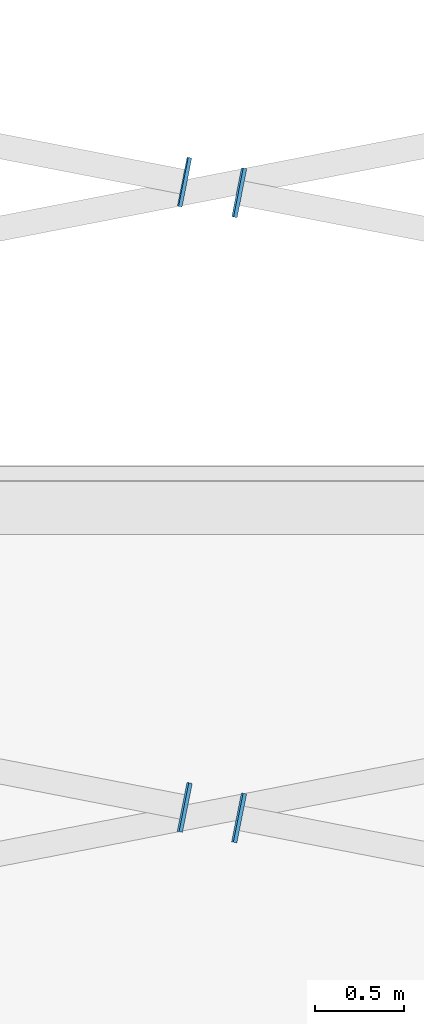
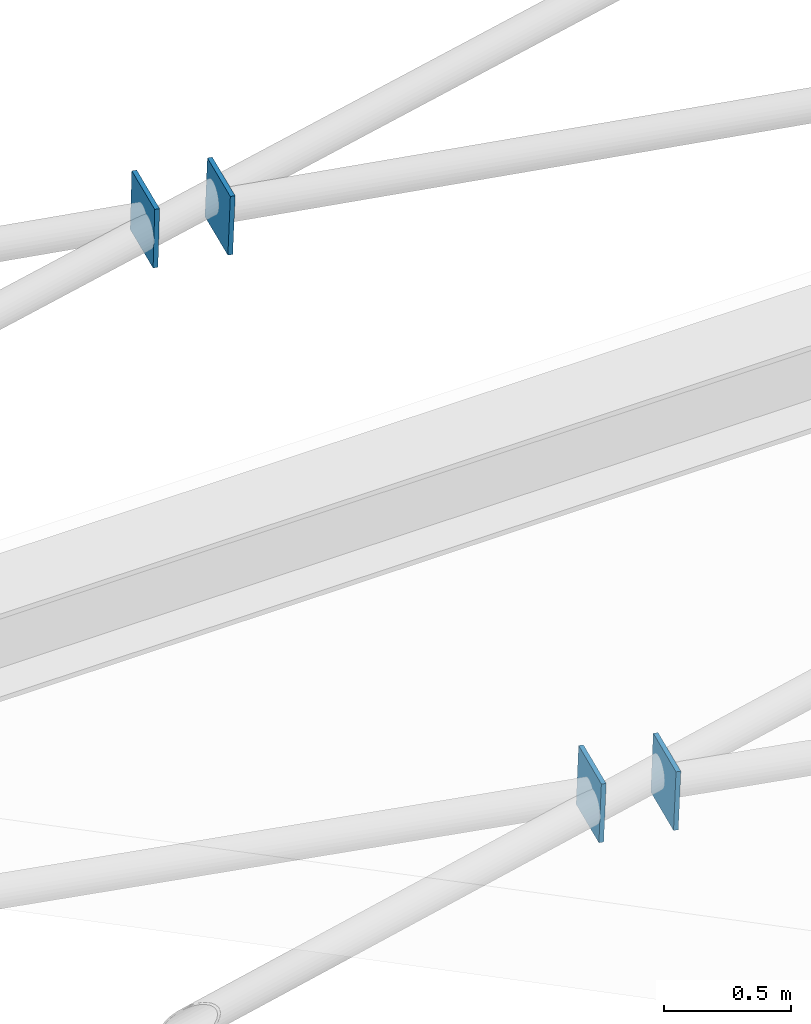
# One storey, part 62 of 69: 4 discrete accessories.
"""IFC4 building model written with IfcOpenShell, lengths in metres."""

import ifcopenshell
import ifcopenshell.guid

model = None  # the IFC model being written
_history = None  # IfcOwnerHistory: only IFC2X3 demands one
_inside = {}  # id of a spatial element -> (the spatial element, [elements in it])
_under = {}  # id of a project, library or spatial element -> (it, [spatial elements below it])
_declared = {}  # id of a project -> (the project, [libraries it declares])
_typed = {}  # id of a type object -> (the type object, [elements of that type])
_made_of = {}  # id of a material, layer set ... -> (it, [elements and type objects made of it])


def new_model(schema):
    """Start an empty IFC model of exactly this schema.

    Asked for "IFC4X3", IfcOpenShell would pick the latest addendum, in which some entities
    have other attributes; the version numbers below select the first issue.
    IFC2X3 requires an IfcOwnerHistory on every rooted entity: one is made here for all.
    """
    global model, _history
    if schema == "IFC4X3":
        model = ifcopenshell.file(schema_version=(4, 3, 0, 0))
    else:
        model = ifcopenshell.file(schema=schema)
    _inside.clear()
    _under.clear()
    _declared.clear()
    _typed.clear()
    _made_of.clear()
    _history = None
    if model.schema == "IFC2X3":
        org = make("IfcOrganization", Name="unknown")
        user = make(
            "IfcPersonAndOrganization",
            ThePerson=make("IfcPerson", FamilyName="unknown"),
            TheOrganization=org,
        )
        app = make(
            "IfcApplication",
            ApplicationDeveloper=org,
            Version="unknown",
            ApplicationFullName="unknown",
            ApplicationIdentifier="unknown",
        )
        _history = make(
            "IfcOwnerHistory",
            OwningUser=user,
            OwningApplication=app,
            ChangeAction="ADDED",
            CreationDate=0,
        )
    return model


def make(cls, **values):
    """One entity of the class cls with the attributes given. An attribute that is None is left unset."""
    return model.create_entity(
        cls, **{name: value for name, value in values.items() if value is not None}
    )


def rooted(cls, **values):
    """An entity with a GlobalId (a new one), such as an element, a storey or a relation."""
    return make(cls, GlobalId=ifcopenshell.guid.new(), OwnerHistory=_history, **values)


def si_unit(unit_type, name, prefix=None):
    """IfcSIUnit, for example si_unit("LENGTHUNIT", "METRE", prefix="MILLI")."""
    return make("IfcSIUnit", UnitType=unit_type, Prefix=prefix, Name=name)


def assignment(units):
    """IfcUnitAssignment: the units of a project."""
    return None if units is None else make("IfcUnitAssignment", Units=units)


def point(xyz):
    """IfcCartesianPoint."""
    return None if xyz is None else make("IfcCartesianPoint", Coordinates=xyz)


def direction(xyz):
    """IfcDirection."""
    return None if xyz is None else make("IfcDirection", DirectionRatios=xyz)


def frame(location, z_axis=None, x_axis=None):
    """IfcAxis2Placement3D, a coordinate frame: its origin and axes. An axis left out is left unset."""
    return make(
        "IfcAxis2Placement3D",
        Location=point(location),
        Axis=direction(z_axis),
        RefDirection=direction(x_axis),
    )


def frame_2d(location, x_axis=None):
    """IfcAxis2Placement2D, a coordinate frame in the plane: its origin and x axis."""
    return make(
        "IfcAxis2Placement2D", Location=point(location), RefDirection=direction(x_axis)
    )


def origin():
    """The frame at (0, 0, 0) with its axes left unset."""
    return frame((0.0, 0.0, 0.0))


def origin_2d():
    """The frame at (0, 0) in the plane with its x axis left unset."""
    return frame_2d((0.0, 0.0))


def place(relative_to, where):
    """IfcLocalPlacement: puts the frame where relative to a parent placement (None: the world)."""
    return make(
        "IfcLocalPlacement", PlacementRelTo=relative_to, RelativePlacement=where
    )


def context(
    kind, dimensions, precision=None, world=None, true_north=None, identifier=None
):
    """IfcGeometricRepresentationContext, for example the 3D "Model" context."""
    return make(
        "IfcGeometricRepresentationContext",
        ContextIdentifier=identifier,
        ContextType=kind,
        CoordinateSpaceDimension=dimensions,
        Precision=precision,
        WorldCoordinateSystem=world,
        TrueNorth=true_north,
    )


def subcontext(parent, identifier, kind, view, scale=None):
    """IfcGeometricRepresentationSubContext, for example "Body" below "Model"."""
    return make(
        "IfcGeometricRepresentationSubContext",
        ContextIdentifier=identifier,
        ContextType=kind,
        ParentContext=parent,
        TargetScale=scale,
        TargetView=view,
    )


def project(units=None, contexts=None):
    """IfcProject with its units and contexts."""
    return rooted(
        "IfcProject",
        Name="project",
        RepresentationContexts=contexts,
        UnitsInContext=assignment(units),
    )


def spatial(cls, under=None, at=None, **own):
    """A site, building, storey or space (cls), placed at a placement, below another one or the project."""
    s = rooted(cls, ObjectPlacement=at, **own)
    if under is not None:
        _under.setdefault(under.id(), (under, []))[1].append(s)
    return s


def profile(cls, at=None, kind="AREA", **sizes):
    """A parametric profile (cls). Its sizes go by their IFC names, for example OverallWidth=200.0."""
    return make(cls, ProfileType=kind, Position=at, **sizes)


def rectangle(**sizes):
    """IfcRectangleProfileDef."""
    return profile("IfcRectangleProfileDef", **sizes)


def extrude(swept, where, along, depth):
    """IfcExtrudedAreaSolid: the profile swept, set in the frame where, extruded along a direction by depth."""
    return make(
        "IfcExtrudedAreaSolid",
        SweptArea=swept,
        Position=where,
        ExtrudedDirection=direction(along),
        Depth=depth,
    )


def shape(context_of_items, identifier, shape_type, items):
    """IfcShapeRepresentation: the items that make up one representation, for example the "Body"."""
    return make(
        "IfcShapeRepresentation",
        ContextOfItems=context_of_items,
        RepresentationIdentifier=identifier,
        RepresentationType=shape_type,
        Items=items,
    )


def material(Name=None, Category=None):
    """IfcMaterial."""
    return make("IfcMaterial", Name=Name, Category=Category)


def layer(
    of_material, thickness, ventilated=None, Name=None, Category=None, Priority=None
):
    """IfcMaterialLayer: one layer of a wall or slab, of a material (None: an air gap)."""
    return make(
        "IfcMaterialLayer",
        Material=of_material,
        LayerThickness=thickness,
        IsVentilated=ventilated,
        Name=Name,
        Category=Category,
        Priority=Priority,
    )


def layer_set(layers, Name=None):
    """IfcMaterialLayerSet."""
    return make("IfcMaterialLayerSet", MaterialLayers=layers, LayerSetName=Name)


def made_of(thing, what):
    """Note that an element or type object is made of a material, layer set ...; save() writes the relation."""
    if what is not None:
        _made_of.setdefault(what.id(), (what, []))[1].append(thing)
    return thing


def type_object(cls, material=None, **own):
    """A type object (cls), such as IfcWallType, which elements share."""
    return made_of(rooted(cls, **own), material)


def element(
    cls,
    number,
    at=None,
    inside=None,
    cuts=None,
    type_object=None,
    material=None,
    context=None,
    identifier="Body",
    shape_type=None,
    held_by="IfcProductDefinitionShape",
    body=None,
    shapes=None,
    **own,
):
    """One element of the class cls, such as IfcWall. Its Tag is "e" and its number.

    at: its placement. inside: the storey or other place that contains it. cuts: it is an
    opening in that element (IfcRelVoidsElement). A single representation is given by context,
    identifier, shape_type and body (its items); several are given by shapes. held_by: the class
    of the entity that holds the representations. save() writes the other relations.
    """
    e = rooted(cls, Tag="e%d" % number, ObjectPlacement=at, **own)
    if body is not None:
        shapes = [shape(context, identifier, shape_type, body)]
    if shapes is not None:
        e.Representation = make(held_by, Representations=shapes)
    if inside is not None:
        _inside.setdefault(inside.id(), (inside, []))[1].append(e)
    if cuts is not None:
        rooted(
            "IfcRelVoidsElement", RelatingBuildingElement=cuts, RelatedOpeningElement=e
        )
    if type_object is not None:
        _typed.setdefault(type_object.id(), (type_object, []))[1].append(e)
    return made_of(e, material)


def aggregate(whole, parts):
    """IfcRelAggregates: a whole, such as a stair, and the parts it consists of."""
    return rooted("IfcRelAggregates", RelatingObject=whole, RelatedObjects=parts)


def save(model, path):
    """Write the relations noted so far, then the file.

    IfcRelAggregates (storeys below a building ...), IfcRelContainedInSpatialStructure (elements
    in a storey), IfcRelDefinesByType, IfcRelAssociatesMaterial and IfcRelDeclares: one each for
    every whole, place, type object, material and project.
    """
    for whole, parts in _under.values():
        aggregate(whole, parts)
    for where, things in _inside.values():
        rooted(
            "IfcRelContainedInSpatialStructure",
            RelatedElements=things,
            RelatingStructure=where,
        )
    for kind, things in _typed.values():
        rooted("IfcRelDefinesByType", RelatedObjects=things, RelatingType=kind)
    for what, things in _made_of.values():
        rooted("IfcRelAssociatesMaterial", RelatedObjects=things, RelatingMaterial=what)
    for by, libraries in _declared.values():
        rooted("IfcRelDeclares", RelatingContext=by, RelatedDefinitions=libraries)
    model.write(path)


model = new_model("IFC4")

# Units and contexts
model_context = context("Model", 3, precision=1e-05, world=origin(), true_north=direction((0.0, 1.0)))
body_context = subcontext(model_context, "Body", "Model", "MODEL_VIEW")
ifc_project = project(units=[si_unit("LENGTHUNIT", "METRE"), si_unit("AREAUNIT", "SQUARE_METRE"), si_unit("VOLUMEUNIT", "CUBIC_METRE"), si_unit("PLANEANGLEUNIT", "RADIAN"), si_unit("MASSUNIT", "GRAM", prefix="KILO")], contexts=[model_context])

# Site, building, storey
site_placement = place(None, origin())
site = spatial("IfcSite", under=ifc_project, at=site_placement, CompositionType="ELEMENT")
building_placement = place(site_placement, origin())
building = spatial("IfcBuilding", under=site, at=building_placement, Name="Okhra Congress Centre", CompositionType="ELEMENT")
storey_placement = place(building_placement, frame((0.0, 0.0, 16.800048828125)))
storey = spatial("IfcBuildingStorey", under=building, at=storey_placement, Name="L03", CompositionType="ELEMENT", Elevation=16.800048828125)

# Discrete accessories
ifc_material = material(Name="Steel S355J2", Category="steel")
ifc_layer = layer(ifc_material, 0.02001953125)
ifc_layer_set = layer_set([ifc_layer], Name="Brace end connection plate 20 mm S355")
discrete_accessory_type = type_object("IfcDiscreteAccessoryType", Name="Brace end connection plate 20 mm S355", PredefinedType="BRACKET", material=ifc_layer_set)
for number, where, z_axis, x_axis, name in (
    (1, (145.161865234375, 154.718505859375, 4.078369140625), (-0.979918394569, 0.195983678914, 0.036746939796), (-0.196116135138, -0.980580675691, 0.0), "Brace end connection plate"),
    (2, (144.838134765625, 154.781494140625, 4.091064453125), (0.979918394569, -0.195983678914, -0.036746939796), (0.196116135138, 0.980580675691, 0.0), "Brace end connection plate"),
):
    element("IfcDiscreteAccessory", number, at=place(storey_placement, frame(where, z_axis=z_axis, x_axis=x_axis)), inside=storey, type_object=discrete_accessory_type, Name=name, PredefinedType="BRACKET", context=body_context, shape_type="SweptSolid", body=[
        extrude(rectangle(XDim=0.279052734375, YDim=0.279052734375, at=origin_2d()), origin(), (0.0, 0.0, 1.0), 0.02001953125),
    ])
for number, where, z_axis, x_axis, name in (
    (3, (145.1630859375, 158.21826171875, 4.711669921875), (-0.980396781614, 0.193658623529, 0.036310991912), (-0.193786418213, -0.981043742203, 0.0), "Brace end connection plate"),
    (4, (144.8369140625, 158.28173828125, 4.721923828125), (0.980756046085, -0.19372958935, -0.024216198669), (0.193786418213, 0.981043742203, 0.0), "Brace end connection plate"),
):
    element("IfcDiscreteAccessory", number, at=place(storey_placement, frame(where, z_axis=z_axis, x_axis=x_axis)), inside=storey, type_object=discrete_accessory_type, Name=name, PredefinedType="BRACKET", context=body_context, shape_type="SweptSolid", body=[
        extrude(rectangle(XDim=0.279052734375, YDim=0.279052734375, at=origin_2d()), origin(), (0.0, 0.0, 1.0), 0.020263671875),
    ])

save(model, "model.ifc")
